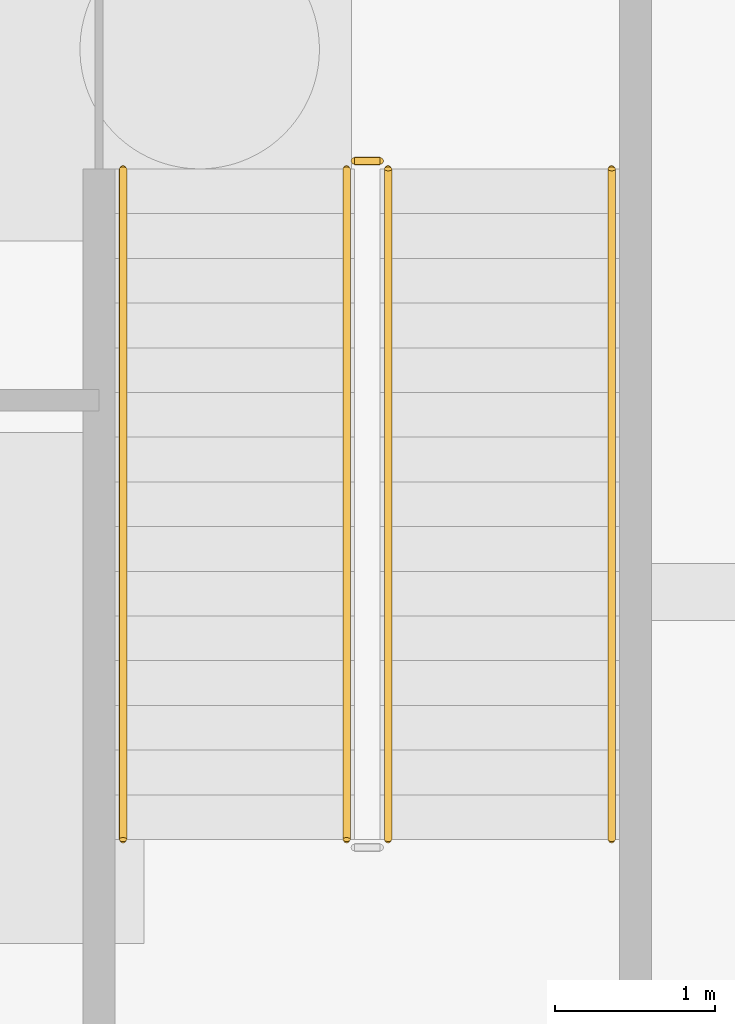
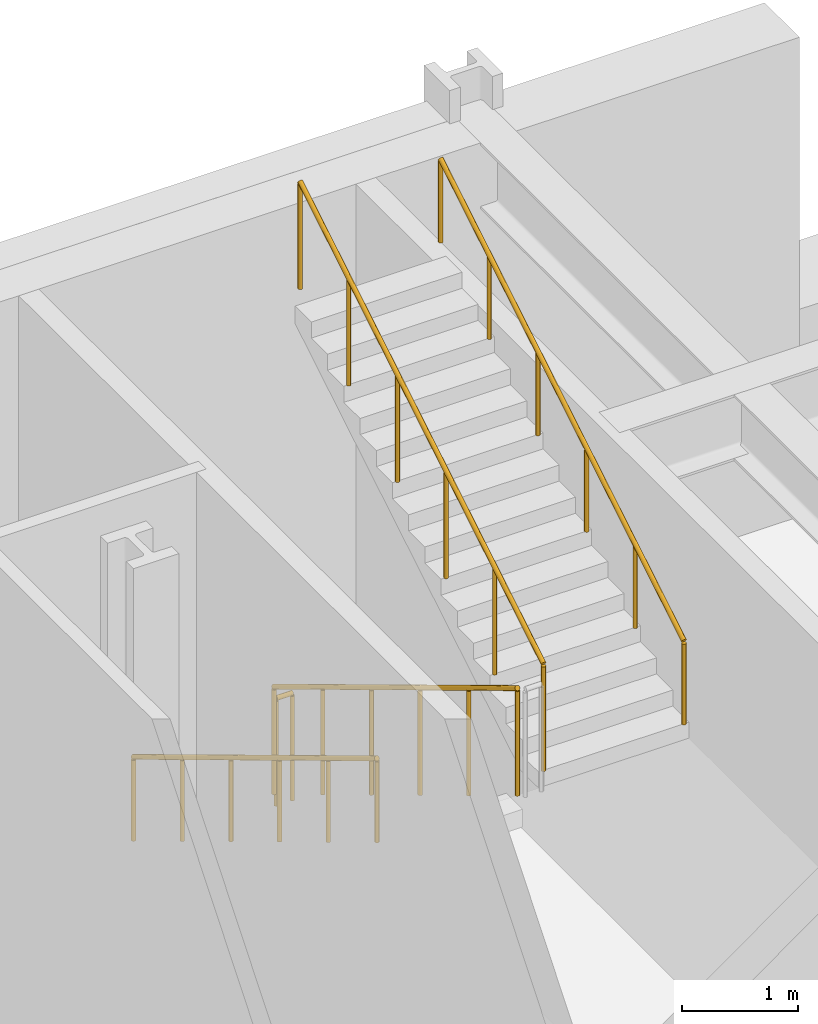
# One storey, part 8 of 9: 5 railings.
"""IFC4 building model written with IfcOpenShell, lengths in metres."""

from ifc_helpers import new_model, si_unit, direction, frame, origin, origin_2d, place, context, subcontext, project, spatial, circle, extrude, material, type_object, element, save


model = new_model("IFC4")

# Units and contexts
model_context = context("Model", 3, precision=1e-05, world=origin(), true_north=direction((0.0, 1.0)))
body_context = subcontext(model_context, "Body", "Model", "MODEL_VIEW")
ifc_project = project(units=[si_unit("LENGTHUNIT", "METRE"), si_unit("AREAUNIT", "SQUARE_METRE"), si_unit("VOLUMEUNIT", "CUBIC_METRE"), si_unit("PLANEANGLEUNIT", "RADIAN"), si_unit("MASSUNIT", "GRAM", prefix="KILO")], contexts=[model_context])

# Site, building, storey
site_placement = place(None, origin())
site = spatial("IfcSite", under=ifc_project, at=site_placement, CompositionType="ELEMENT")
building_placement = place(site_placement, origin())
building = spatial("IfcBuilding", under=site, at=building_placement, Name="Drelvath Grand Hotel", CompositionType="ELEMENT")
storey_placement = place(building_placement, frame((0.0, 0.0, -10.800048828125)))
storey = spatial("IfcBuildingStorey", under=building, at=storey_placement, Name="B2", CompositionType="ELEMENT", Elevation=-10.800048828125)

# Railings
ifc_material = material(Name="Painted Steel S275", Category="steel")
railing_type_1 = type_object("IfcRailingType", Name="Core Stair Wall Handrail 900", PredefinedType="HANDRAIL", material=ifc_material)
railing_1_placement = place(storey_placement, frame((28.469970703125, 51.85009765625, 0.168701171875)))
element("IfcRailing", 1, at=railing_1_placement, inside=storey, type_object=railing_type_1, Name="B2 ST-4 stair handrail 1", PredefinedType="HANDRAIL", context=body_context, shape_type="SweptSolid", body=[
    extrude(circle(Radius=0.02392578125, at=origin_2d()), frame((0.0, 0.0, 0.8759765625), z_axis=(0.0, -0.856489757249, 0.516164020179), x_axis=(1.0, 0.0, 0.0)), (0.0, 0.0, 1.0), 4.904052734375),
    extrude(circle(Radius=0.02099609375, at=origin_2d()), origin(), (0.0, 0.0, 1.0), 0.851806640625),
    extrude(circle(Radius=0.02099609375, at=origin_2d()), frame((0.0, -0.840087890625, 0.50634765625)), (0.0, 0.0, 1.0), 0.851806640625),
    extrude(circle(Radius=0.02099609375, at=origin_2d()), frame((0.0, -1.68017578125, 1.012451171875)), (0.0, 0.0, 1.0), 0.851806640625),
    extrude(circle(Radius=0.02099609375, at=origin_2d()), frame((0.0, -2.52001953125, 1.518798828125)), (0.0, 0.0, 1.0), 0.851806640625),
    extrude(circle(Radius=0.02099609375, at=origin_2d()), frame((0.0, -3.360107421875, 2.02490234375)), (0.0, 0.0, 1.0), 0.851806640625),
    extrude(circle(Radius=0.02099609375, at=origin_2d()), frame((0.0, -4.2001953125, 2.53125)), (0.0, 0.0, 1.0), 0.851806640625),
])
railing_2_placement = place(storey_placement, frame((31.530029296875, 47.64990234375, 2.868896484375)))
element("IfcRailing", 2, at=railing_2_placement, inside=storey, type_object=railing_type_1, Name="B2 ST-4 stair handrail 2", PredefinedType="HANDRAIL", context=body_context, shape_type="SweptSolid", body=[
    extrude(circle(Radius=0.02392578125, at=origin_2d()), frame((0.0, 0.0, 0.8759765625), z_axis=(0.0, 0.856489757249, 0.516164020179), x_axis=(-1.0, 0.0, 0.0)), (0.0, 0.0, 1.0), 4.904052734375),
    extrude(circle(Radius=0.02099609375, at=origin_2d()), origin(), (0.0, 0.0, 1.0), 0.851806640625),
    extrude(circle(Radius=0.02099609375, at=origin_2d()), frame((0.0, 0.840087890625, 0.50634765625)), (0.0, 0.0, 1.0), 0.851806640625),
    extrude(circle(Radius=0.02099609375, at=origin_2d()), frame((0.0, 1.68017578125, 1.012451171875)), (0.0, 0.0, 1.0), 0.851806640625),
    extrude(circle(Radius=0.02099609375, at=origin_2d()), frame((0.0, 2.52001953125, 1.518798828125)), (0.0, 0.0, 1.0), 0.851806640625),
    extrude(circle(Radius=0.02099609375, at=origin_2d()), frame((0.0, 3.360107421875, 2.02490234375)), (0.0, 0.0, 1.0), 0.851806640625),
    extrude(circle(Radius=0.02099609375, at=origin_2d()), frame((0.0, 4.2001953125, 2.53125)), (0.0, 0.0, 1.0), 0.851806640625),
])
railing_type_2 = type_object("IfcRailingType", Name="Core Stair Well Guardrail 1100", PredefinedType="GUARDRAIL", material=ifc_material)
railing_3_placement = place(storey_placement, frame((29.8701171875, 51.85009765625, 0.168701171875)))
element("IfcRailing", 3, at=railing_3_placement, inside=storey, type_object=railing_type_2, Name="B2 ST-4 stair guard 1", PredefinedType="GUARDRAIL", context=body_context, shape_type="SweptSolid", body=[
    extrude(circle(Radius=0.02392578125, at=origin_2d()), frame((0.0, 0.0, 1.1259765625), z_axis=(0.0, -0.856489757249, 0.516164020179), x_axis=(1.0, 0.0, 0.0)), (0.0, 0.0, 1.0), 4.904052734375),
    extrude(circle(Radius=0.02099609375, at=origin_2d()), origin(), (0.0, 0.0, 1.0), 1.101806640625),
    extrude(circle(Radius=0.02099609375, at=origin_2d()), frame((0.0, -0.840087890625, 0.50634765625)), (0.0, 0.0, 1.0), 1.101806640625),
    extrude(circle(Radius=0.02099609375, at=origin_2d()), frame((0.0, -1.68017578125, 1.012451171875)), (0.0, 0.0, 1.0), 1.101806640625),
    extrude(circle(Radius=0.02099609375, at=origin_2d()), frame((0.0, -2.52001953125, 1.518798828125)), (0.0, 0.0, 1.0), 1.101806640625),
    extrude(circle(Radius=0.02099609375, at=origin_2d()), frame((0.0, -3.360107421875, 2.02490234375)), (0.0, 0.0, 1.0), 1.101806640625),
    extrude(circle(Radius=0.02099609375, at=origin_2d()), frame((0.0, -4.2001953125, 2.53125)), (0.0, 0.0, 1.0), 1.101806640625),
])
railing_4_placement = place(storey_placement, frame((30.1298828125, 47.64990234375, 2.868896484375)))
element("IfcRailing", 4, at=railing_4_placement, inside=storey, type_object=railing_type_2, Name="B2 ST-4 stair guard 3", PredefinedType="GUARDRAIL", context=body_context, shape_type="SweptSolid", body=[
    extrude(circle(Radius=0.02392578125, at=origin_2d()), frame((0.0, 0.0, 1.1259765625), z_axis=(0.0, 0.856489757249, 0.516164020179), x_axis=(-1.0, 0.0, 0.0)), (0.0, 0.0, 1.0), 4.904052734375),
    extrude(circle(Radius=0.02099609375, at=origin_2d()), origin(), (0.0, 0.0, 1.0), 1.101806640625),
    extrude(circle(Radius=0.02099609375, at=origin_2d()), frame((0.0, 0.840087890625, 0.50634765625)), (0.0, 0.0, 1.0), 1.101806640625),
    extrude(circle(Radius=0.02099609375, at=origin_2d()), frame((0.0, 1.68017578125, 1.012451171875)), (0.0, 0.0, 1.0), 1.101806640625),
    extrude(circle(Radius=0.02099609375, at=origin_2d()), frame((0.0, 2.52001953125, 1.518798828125)), (0.0, 0.0, 1.0), 1.101806640625),
    extrude(circle(Radius=0.02099609375, at=origin_2d()), frame((0.0, 3.360107421875, 2.02490234375)), (0.0, 0.0, 1.0), 1.101806640625),
    extrude(circle(Radius=0.02099609375, at=origin_2d()), frame((0.0, 4.2001953125, 2.53125)), (0.0, 0.0, 1.0), 1.101806640625),
])
railing_5_placement = place(storey_placement, frame((29.919921875, 51.89990234375, 0.0)))
element("IfcRailing", 5, at=railing_5_placement, inside=storey, type_object=railing_type_2, Name="B2 ST-4 stair guard 4", PredefinedType="GUARDRAIL", context=body_context, shape_type="SweptSolid", body=[
    extrude(circle(Radius=0.02392578125, at=origin_2d()), frame((0.0, 0.0, 1.1259765625), z_axis=(1.0, 0.0, 0.0), x_axis=(0.0, 1.0, 0.0)), (0.0, 0.0, 1.0), 0.16015625),
    extrude(circle(Radius=0.02099609375, at=origin_2d()), origin(), (0.0, 0.0, 1.0), 1.101806640625),
    extrude(circle(Radius=0.02099609375, at=origin_2d()), frame((0.16015625, 0.0, 0.0)), (0.0, 0.0, 1.0), 1.101806640625),
])

save(model, "model.ifc")
